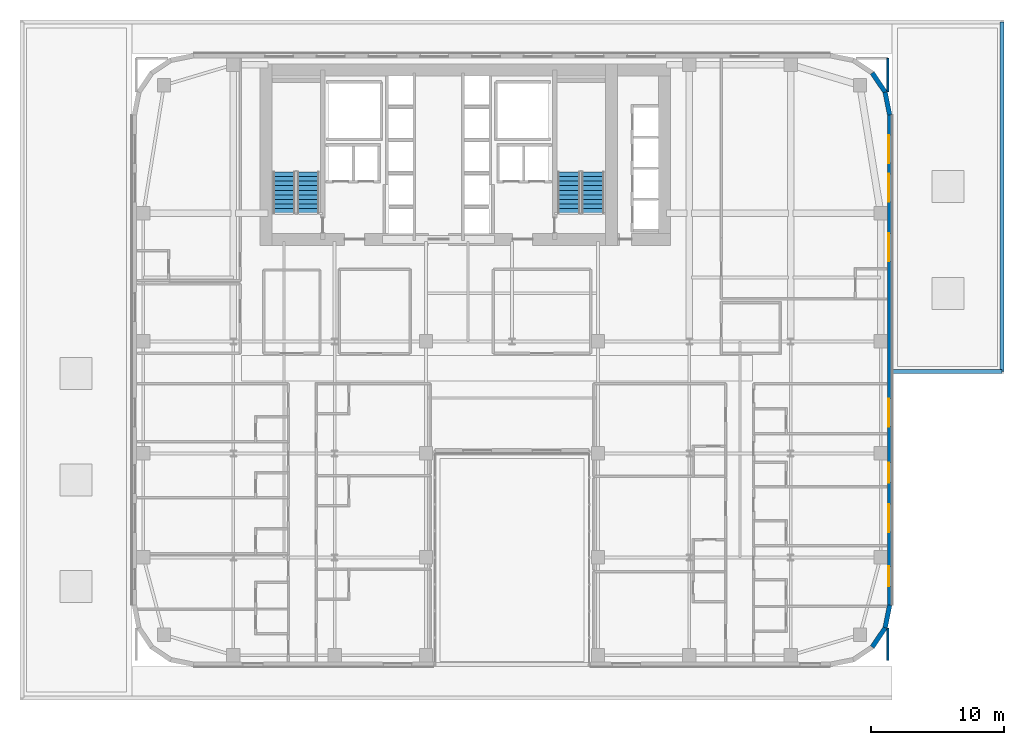
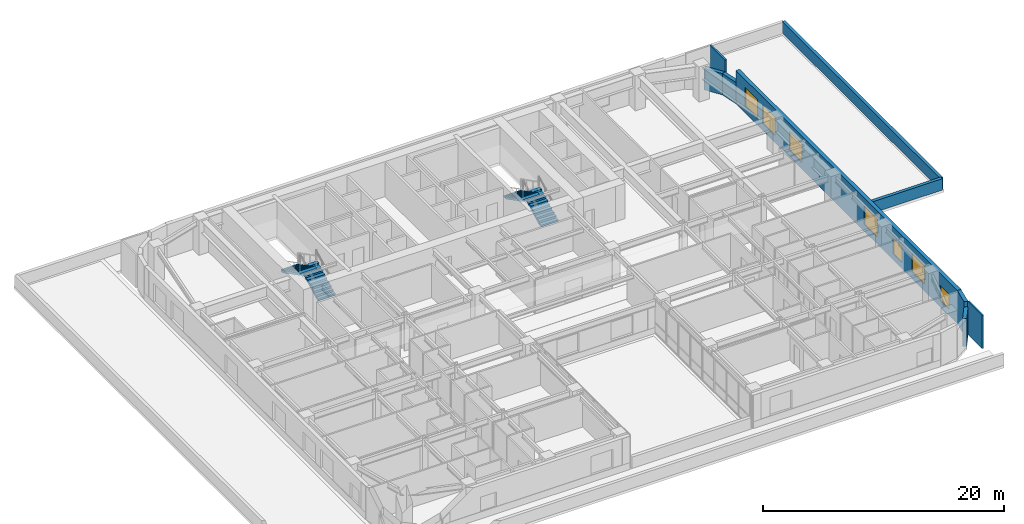
# One storey, part 19 of 25: 9 walls, 7 windows, 4 stair flights, 7 openings, 2 elements without a shape of their own.
"""IFC4 building model written with IfcOpenShell, lengths in metres."""

from ifc_helpers import new_model, si_unit, direction, frame, frame_2d, origin, place, context, subcontext, project, spatial, polyline, rectangle, outline, extrude, source, transform, mapped, material, layer, layer_set, type_object, type_shapes, element, fill, aggregate, save


model = new_model("IFC4")

# Units and contexts
model_context = context("Model", 3, precision=1e-05, world=origin(), true_north=direction((0.0, 1.0)))
body_context = subcontext(model_context, "Body", "Model", "MODEL_VIEW")
ifc_project = project(units=[si_unit("LENGTHUNIT", "METRE"), si_unit("AREAUNIT", "SQUARE_METRE"), si_unit("VOLUMEUNIT", "CUBIC_METRE"), si_unit("PLANEANGLEUNIT", "RADIAN"), si_unit("MASSUNIT", "GRAM", prefix="KILO")], contexts=[model_context])

# Site, building, storey
site_placement = place(None, origin())
site = spatial("IfcSite", under=ifc_project, at=site_placement, CompositionType="ELEMENT")
building_placement = place(site_placement, origin())
building = spatial("IfcBuilding", under=site, at=building_placement, Name="Tolvann Quenvar Hotel", CompositionType="ELEMENT")
storey_placement = place(building_placement, frame((0.0, 0.0, 32.0)))
storey = spatial("IfcBuildingStorey", under=building, at=storey_placement, Name="L06", CompositionType="ELEMENT", Elevation=32.0)

# Walls
ifc_material_1 = material(Name="Kiln-fired red and buff architectural clay brickwork and terracotta masonry", Category="masonry")
ifc_layer_1 = layer(ifc_material_1, 0.35009765625)
ifc_layer_set_1 = layer_set([ifc_layer_1], Name="Kiln-fired red and buff architectural clay brickwork and terracotta masonry")
wall_type_1 = type_object("IfcWallType", Name="WALL_EXT_BRICK_350", PredefinedType="SOLIDWALL", material=ifc_layer_set_1)
wall_1_placement = place(storey_placement, frame((55.526611328125, 1.473388671875, 0.0), z_axis=(0.0, 0.0, 1.0), x_axis=(0.55554893791, 0.831483840845, 0.0)))
element("IfcWall", 1, at=wall_1_placement, inside=storey, type_object=wall_type_1, Name="Exterior Chicago Brick Wall L06-E11", PredefinedType="SOLIDWALL", context=body_context, shape_type="SweptSolid", body=[
    extrude(rectangle(XDim=1.725341796875, YDim=0.35009765625, at=frame_2d((0.86279296875, 0.0))), origin(), (0.0, 0.0, 1.0), 2.83203125),
])
wall_2_placement = place(storey_placement, frame((56.485107421875, 2.907958984375, 0.0), z_axis=(0.0, 0.0, 1.0), x_axis=(0.195011420161, 0.980800971659, 0.0)))
element("IfcWall", 2, at=wall_2_placement, inside=storey, type_object=wall_type_1, Name="Exterior Chicago Brick Wall L06-E12", PredefinedType="SOLIDWALL", context=body_context, shape_type="SweptSolid", body=[
    extrude(rectangle(XDim=1.74267578125, YDim=0.35009765625, at=frame_2d((0.871337890625, 0.0))), origin(), (0.0, 0.0, 1.0), 3.3701171875),
])

# Wall, openings, windows
wall_3_placement = place(storey_placement, frame((56.824951171875, 4.6171875, 0.0), z_axis=(0.0, 0.0, 1.0), x_axis=(0.0, 1.0, 0.0)))
wall_3 = element("IfcWall", 3, at=wall_3_placement, inside=storey, type_object=wall_type_1, Name="Exterior Chicago Brick Wall L06-E13", PredefinedType="SOLIDWALL", context=body_context, shape_type="SweptSolid", body=[
    extrude(rectangle(XDim=36.765625, YDim=0.35009765625, at=frame_2d((18.3828125, 0.0))), origin(), (0.0, 0.0, 1.0), 3.3701171875),
])
opening_1_placement = place(wall_3_placement, frame((5.47802734375, 0.0, 0.679931640625)))
opening_1 = element("IfcOpeningElement", 4, at=opening_1_placement, cuts=wall_3, Name="Opening W-02", PredefinedType="OPENING", context=body_context, shape_type="SweptSolid", body=[
    extrude(rectangle(XDim=2.10009765625, YDim=1.89990234375, at=frame_2d((1.050048828125, 0.949951171875))), frame((0.0, 0.18505859375, 0.0), z_axis=(0.0, -1.0, 0.0), x_axis=(1.0, 0.0, 0.0)), (0.0, 0.0, 1.0), 0.3701171875),
])
opening_2_placement = place(wall_3_placement, frame((13.381103515625, 0.0, 0.679931640625)))
opening_2 = element("IfcOpeningElement", 5, at=opening_2_placement, cuts=wall_3, Name="Opening W-02", PredefinedType="OPENING", context=body_context, shape_type="SweptSolid", body=[
    extrude(rectangle(XDim=2.10009765625, YDim=1.89990234375, at=frame_2d((1.050048828125, 0.949951171875))), frame((0.0, 0.18505859375, 0.0), z_axis=(0.0, -1.0, 0.0), x_axis=(1.0, 0.0, 0.0)), (0.0, 0.0, 1.0), 0.3701171875),
])
opening_3_placement = place(wall_3_placement, frame((25.785888671875, 0.0, 0.679931640625)))
opening_3 = element("IfcOpeningElement", 6, at=opening_3_placement, cuts=wall_3, Name="Opening W-02", PredefinedType="OPENING", context=body_context, shape_type="SweptSolid", body=[
    extrude(rectangle(XDim=2.10009765625, YDim=1.89990234375, at=frame_2d((1.050048828125, 0.949951171875))), frame((0.0, 0.18505859375, 0.0), z_axis=(0.0, -1.0, 0.0), x_axis=(1.0, 0.0, 0.0)), (0.0, 0.0, 1.0), 0.3701171875),
])
opening_4_placement = place(wall_3_placement, frame((30.238037109375, 0.0, 0.679931640625)))
opening_4 = element("IfcOpeningElement", 7, at=opening_4_placement, cuts=wall_3, Name="Opening W-02", PredefinedType="OPENING", context=body_context, shape_type="SweptSolid", body=[
    extrude(rectangle(XDim=2.10009765625, YDim=1.89990234375, at=frame_2d((1.050048828125, 0.949951171875))), frame((0.0, 0.18505859375, 0.0), z_axis=(0.0, -1.0, 0.0), x_axis=(1.0, 0.0, 0.0)), (0.0, 0.0, 1.0), 0.3701171875),
])
opening_5_placement = place(wall_3_placement, frame((33.139892578125, 0.0, 0.679931640625)))
opening_5 = element("IfcOpeningElement", 8, at=opening_5_placement, cuts=wall_3, Name="Opening W-02", PredefinedType="OPENING", context=body_context, shape_type="SweptSolid", body=[
    extrude(rectangle(XDim=2.10009765625, YDim=1.89990234375, at=frame_2d((1.050048828125, 0.949951171875))), frame((0.0, 0.18505859375, 0.0), z_axis=(0.0, -1.0, 0.0), x_axis=(1.0, 0.0, 0.0)), (0.0, 0.0, 1.0), 0.3701171875),
])
opening_6_placement = place(wall_3_placement, frame((1.39990234375, 0.0, 0.6201171875)))
opening_6 = element("IfcOpeningElement", 9, at=opening_6_placement, cuts=wall_3, Name="Opening W-08", PredefinedType="OPENING", context=body_context, shape_type="SweptSolid", body=[
    extrude(rectangle(XDim=1.5, YDim=1.550048828125, at=frame_2d((0.75, 0.77490234375))), frame((0.0, 0.18505859375, 0.0), z_axis=(0.0, -1.0, 0.0), x_axis=(1.0, 0.0, 0.0)), (0.0, 0.0, 1.0), 0.3701171875),
])
opening_7_placement = place(wall_3_placement, frame((9.193115234375, 0.0, 0.6201171875)))
opening_7 = element("IfcOpeningElement", 10, at=opening_7_placement, cuts=wall_3, Name="Opening W-08", PredefinedType="OPENING", context=body_context, shape_type="SweptSolid", body=[
    extrude(rectangle(XDim=1.5, YDim=1.550048828125, at=frame_2d((0.75, 0.77490234375))), frame((0.0, 0.18505859375, 0.0), z_axis=(0.0, -1.0, 0.0), x_axis=(1.0, 0.0, 0.0)), (0.0, 0.0, 1.0), 0.3701171875),
])
ifc_material_2 = material(Name="Thermally broken bronze-anodised aluminium frame with double low-E glazing", Category="aluminium")
window_type_1 = type_object("IfcWindowType", Name="WIN_COR_1500x2050", PartitioningType="SINGLE_PANEL", PredefinedType="WINDOW", material=ifc_material_2)
shared_shape_1 = source(origin(), body_context, "Body", "SweptSolid", [
    extrude(rectangle(XDim=1.5, YDim=1.550048828125, at=frame_2d((0.75, 0.77490234375))), frame((0.0, 0.090087890625, 0.0), z_axis=(0.0, -1.0, 0.0), x_axis=(1.0, 0.0, 0.0)), (0.0, 0.0, 1.0), 0.06005859375),
])
type_shapes(window_type_1, [shared_shape_1])
window_1_placement = place(opening_6_placement, origin())
window_1 = element("IfcWindow", 11, at=window_1_placement, inside=storey, type_object=window_type_1, Name="Chicago Window W-08 (EW-L06-E13-WD06)", OverallHeight=1.550048828125, OverallWidth=1.5, PartitioningType="SINGLE_PANEL", PredefinedType="WINDOW", context=body_context, shape_type="MappedRepresentation", body=[
    mapped(shared_shape_1, transform((0.0, 0.0, 0.0), x_axis=(1.0, 0.0, 0.0), y_axis=(0.0, 1.0, 0.0), z_axis=(0.0, 0.0, 1.0), scale=1.0)),
])
fill(opening_6, window_1)
window_2_placement = place(opening_7_placement, origin())
window_2 = element("IfcWindow", 12, at=window_2_placement, inside=storey, type_object=window_type_1, Name="Chicago Window W-08 (EW-L06-E13-WD07)", OverallHeight=1.550048828125, OverallWidth=1.5, PartitioningType="SINGLE_PANEL", PredefinedType="WINDOW", context=body_context, shape_type="MappedRepresentation", body=[
    mapped(shared_shape_1, transform((0.0, 0.0, 0.0), x_axis=(1.0, 0.0, 0.0), y_axis=(0.0, 1.0, 0.0), z_axis=(0.0, 0.0, 1.0), scale=1.0)),
])
fill(opening_7, window_2)
window_type_2 = type_object("IfcWindowType", Name="WIN_CHI_2100x2050", PartitioningType="TRIPLE_PANEL_HORIZONTAL", PredefinedType="WINDOW", material=ifc_material_2)
shared_shape_2 = source(origin(), body_context, "Body", "SweptSolid", [
    extrude(rectangle(XDim=2.10009765625, YDim=1.89990234375, at=frame_2d((1.050048828125, 0.949951171875))), frame((0.0, 0.090087890625, 0.0), z_axis=(0.0, -1.0, 0.0), x_axis=(1.0, 0.0, 0.0)), (0.0, 0.0, 1.0), 0.06005859375),
])
type_shapes(window_type_2, [shared_shape_2])
window_3_placement = place(opening_1_placement, origin())
window_3 = element("IfcWindow", 13, at=window_3_placement, inside=storey, type_object=window_type_2, Name="Chicago Window W-02 (EW-L06-E13-W01)", OverallHeight=1.89990234375, OverallWidth=2.10009765625, PartitioningType="TRIPLE_PANEL_HORIZONTAL", PredefinedType="WINDOW", context=body_context, shape_type="MappedRepresentation", body=[
    mapped(shared_shape_2, transform((0.0, 0.0, 0.0), x_axis=(1.0, 0.0, 0.0), y_axis=(0.0, 1.0, 0.0), z_axis=(0.0, 0.0, 1.0), scale=1.0)),
])
fill(opening_1, window_3)
window_4_placement = place(opening_2_placement, origin())
window_4 = element("IfcWindow", 14, at=window_4_placement, inside=storey, type_object=window_type_2, Name="Chicago Window W-02 (EW-L06-E13-W02)", OverallHeight=1.89990234375, OverallWidth=2.10009765625, PartitioningType="TRIPLE_PANEL_HORIZONTAL", PredefinedType="WINDOW", context=body_context, shape_type="MappedRepresentation", body=[
    mapped(shared_shape_2, transform((0.0, 0.0, 0.0), x_axis=(1.0, 0.0, 0.0), y_axis=(0.0, 1.0, 0.0), z_axis=(0.0, 0.0, 1.0), scale=1.0)),
])
fill(opening_2, window_4)
window_5_placement = place(opening_3_placement, origin())
window_5 = element("IfcWindow", 15, at=window_5_placement, inside=storey, type_object=window_type_2, Name="Chicago Window W-02 (EW-L06-E13-W03)", OverallHeight=1.89990234375, OverallWidth=2.10009765625, PartitioningType="TRIPLE_PANEL_HORIZONTAL", PredefinedType="WINDOW", context=body_context, shape_type="MappedRepresentation", body=[
    mapped(shared_shape_2, transform((0.0, 0.0, 0.0), x_axis=(1.0, 0.0, 0.0), y_axis=(0.0, 1.0, 0.0), z_axis=(0.0, 0.0, 1.0), scale=1.0)),
])
fill(opening_3, window_5)
window_6_placement = place(opening_4_placement, origin())
window_6 = element("IfcWindow", 16, at=window_6_placement, inside=storey, type_object=window_type_2, Name="Chicago Window W-02 (EW-L06-E13-W04)", OverallHeight=1.89990234375, OverallWidth=2.10009765625, PartitioningType="TRIPLE_PANEL_HORIZONTAL", PredefinedType="WINDOW", context=body_context, shape_type="MappedRepresentation", body=[
    mapped(shared_shape_2, transform((0.0, 0.0, 0.0), x_axis=(1.0, 0.0, 0.0), y_axis=(0.0, 1.0, 0.0), z_axis=(0.0, 0.0, 1.0), scale=1.0)),
])
fill(opening_4, window_6)
window_7_placement = place(opening_5_placement, origin())
window_7 = element("IfcWindow", 17, at=window_7_placement, inside=storey, type_object=window_type_2, Name="Chicago Window W-02 (EW-L06-E13-W05)", OverallHeight=1.89990234375, OverallWidth=2.10009765625, PartitioningType="TRIPLE_PANEL_HORIZONTAL", PredefinedType="WINDOW", context=body_context, shape_type="MappedRepresentation", body=[
    mapped(shared_shape_2, transform((0.0, 0.0, 0.0), x_axis=(1.0, 0.0, 0.0), y_axis=(0.0, 1.0, 0.0), z_axis=(0.0, 0.0, 1.0), scale=1.0)),
])
fill(opening_5, window_7)

# Walls
wall_4_placement = place(storey_placement, frame((56.824951171875, 41.3828125, 0.0), z_axis=(0.0, 0.0, 1.0), x_axis=(-0.195011420161, 0.980800971659, 0.0)))
element("IfcWall", 18, at=wall_4_placement, inside=storey, type_object=wall_type_1, Name="Exterior Chicago Brick Wall L06-E14", PredefinedType="SOLIDWALL", context=body_context, shape_type="SweptSolid", body=[
    extrude(rectangle(XDim=1.74267578125, YDim=0.35009765625, at=frame_2d((0.871337890625, 0.0))), origin(), (0.0, 0.0, 1.0), 2.159912109375),
])
wall_5_placement = place(storey_placement, frame((56.485107421875, 43.092041015625, 0.0), z_axis=(0.0, 0.0, 1.0), x_axis=(-0.55554893791, 0.831483840845, 0.0)))
element("IfcWall", 19, at=wall_5_placement, inside=storey, type_object=wall_type_1, Name="Exterior Chicago Brick Wall L06-E15", PredefinedType="SOLIDWALL", context=body_context, shape_type="SweptSolid", body=[
    extrude(rectangle(XDim=1.725341796875, YDim=0.35009765625, at=frame_2d((0.86279296875, 0.0))), origin(), (0.0, 0.0, 1.0), 2.159912109375),
])
ifc_layer_2 = layer(ifc_material_1, 0.300048828125)
ifc_layer_set_2 = layer_set([ifc_layer_2], Name="Kiln-fired red and buff architectural clay brickwork and terracotta masonry")
wall_type_2 = type_object("IfcWallType", Name="WALL_PARAPET_300", PredefinedType="PARAPET", material=ifc_layer_set_2)
wall_6_placement = place(storey_placement, frame((65.25, 22.14990234375, 0.0), z_axis=(0.0, 0.0, 1.0), x_axis=(0.0, 1.0, 0.0)))
element("IfcWall", 20, at=wall_6_placement, inside=storey, type_object=wall_type_2, Name="Podium Roof Parapet POD-EN", PredefinedType="PARAPET", context=body_context, shape_type="SweptSolid", body=[
    extrude(rectangle(XDim=26.2001953125, YDim=0.300048828125, at=frame_2d((13.10009765625, 0.0))), origin(), (0.0, 0.0, 1.0), 1.14990234375),
])
wall_7_placement = place(storey_placement, frame((57.0, 22.14990234375, 0.0), z_axis=(0.0, 0.0, 1.0), x_axis=(1.0, 0.0, 0.0)))
element("IfcWall", 21, at=wall_7_placement, inside=storey, type_object=wall_type_2, Name="Podium Roof Parapet POD-ES", PredefinedType="PARAPET", context=body_context, shape_type="SweptSolid", body=[
    extrude(rectangle(XDim=8.25, YDim=0.300048828125, at=frame_2d((4.125, 0.0))), origin(), (0.0, 0.0, 1.0), 1.14990234375),
])
ifc_material_3 = material(Name="Acoustic twin-stud fire-rated gypsum plasterboard partition")
ifc_layer_3 = layer(ifc_material_3, 0.14990234375)
ifc_layer_set_3 = layer_set([ifc_layer_3], Name="Acoustic twin-stud fire-rated gypsum plasterboard partition")
wall_type_3 = type_object("IfcWallType", Name="WALL_PART_SUITE_150", PredefinedType="PARTITIONING", material=ifc_layer_set_3)
wall_8_placement = place(storey_placement, frame((56.699951171875, 0.47998046875, 0.0), z_axis=(0.0, 0.0, 1.0), x_axis=(0.0, 1.0, 0.0)))
element("IfcWall", 22, at=wall_8_placement, inside=storey, type_object=wall_type_3, Name="Interior Partition PT-SPC-L06-RM-EO01-E2", PredefinedType="PARTITIONING", context=body_context, shape_type="SweptSolid", body=[
    extrude(rectangle(XDim=2.385009765625, YDim=0.14990234375, at=frame_2d((1.1923828125, 0.0))), origin(), (0.0, 0.0, 1.0), 3.3701171875),
])
wall_9_placement = place(storey_placement, frame((56.699951171875, 43.135009765625, 0.0), z_axis=(0.0, 0.0, 1.0), x_axis=(0.0, 1.0, 0.0)))
element("IfcWall", 23, at=wall_9_placement, inside=storey, type_object=wall_type_3, Name="Interior Partition PT-SPC-L06-RM-NE01-E4", PredefinedType="PARTITIONING", context=body_context, shape_type="SweptSolid", body=[
    extrude(rectangle(XDim=2.485107421875, YDim=0.14990234375, at=frame_2d((1.24267578125, 0.0))), origin(), (0.0, 0.0, 1.0), 3.3701171875),
])

# Stair, stair flights
ifc_material_4 = material(Name="Concrete N40 (40 MPa)", Category="concrete")
stair_type = type_object("IfcStairType", Name="STAIR", PredefinedType="HALF_TURN_STAIR", material=ifc_material_4)
stair_1_placement = place(storey_placement, origin())
stair_1 = element("IfcStair", 24, at=stair_1_placement, inside=storey, type_object=stair_type, Name="L06 ST-C1", PredefinedType="HALF_TURN_STAIR")
stair_flight_type = type_object("IfcStairFlightType", Name="STAIR_FLIGHT", PredefinedType="STRAIGHT", material=ifc_material_4)
stair_flight_1_placement = place(storey_placement, frame((13.22509765625, 34.0, 0.0), z_axis=(0.0, 0.0, 1.0), x_axis=(0.0, 1.0, 0.0)))
stair_flight_1 = element("IfcStairFlight", 25, at=stair_flight_1_placement, type_object=stair_flight_type, Name="ST-C1 flight 1", NumberOfRisers=10, NumberOfTreads=9, PredefinedType="STRAIGHT", RiserHeight=0.1775, TreadLength=0.345, context=body_context, shape_type="SweptSolid", body=[
    extrude(outline(polyline([(0.0, 0.0), (0.0, 0.177490234375), (0.344970703125, 0.177490234375), (0.344970703125, 0.35498046875), (0.68994140625, 0.35498046875), (0.68994140625, 0.532470703125), (1.034912109375, 0.532470703125), (1.034912109375, 0.7099609375), (1.3798828125, 0.7099609375), (1.3798828125, 0.887451171875), (1.72509765625, 0.887451171875), (1.72509765625, 1.06494140625), (2.070068359375, 1.06494140625), (2.070068359375, 1.242431640625), (2.4150390625, 1.242431640625), (2.4150390625, 1.419921875), (2.760009765625, 1.419921875), (2.760009765625, 1.597412109375), (3.10498046875, 1.597412109375), (3.10498046875, 1.77490234375), (3.10498046875, 1.428955078125), (0.32763671875, 0.0), (0.0, 0.0)])), frame((0.0, 0.824951171875, 0.0), z_axis=(0.0, -1.0, 0.0), x_axis=(1.0, 0.0, 0.0)), (0.0, 0.0, 1.0), 1.64990234375),
])
stair_flight_2_placement = place(storey_placement, frame((11.425048828125, 37.10498046875, 1.77490234375), z_axis=(0.0, 0.0, 1.0), x_axis=(0.0, -1.0, 0.0)))
stair_flight_2 = element("IfcStairFlight", 26, at=stair_flight_2_placement, type_object=stair_flight_type, Name="ST-C1 flight 2", NumberOfRisers=10, NumberOfTreads=9, PredefinedType="STRAIGHT", RiserHeight=0.1775, TreadLength=0.345, context=body_context, shape_type="SweptSolid", body=[
    extrude(outline(polyline([(0.0, 0.0), (0.0, 0.177490234375), (0.344970703125, 0.177490234375), (0.344970703125, 0.35498046875), (0.68994140625, 0.35498046875), (0.68994140625, 0.532470703125), (1.034912109375, 0.532470703125), (1.034912109375, 0.7099609375), (1.3798828125, 0.7099609375), (1.3798828125, 0.887451171875), (1.72509765625, 0.887451171875), (1.72509765625, 1.06494140625), (2.070068359375, 1.06494140625), (2.070068359375, 1.242431640625), (2.4150390625, 1.242431640625), (2.4150390625, 1.419921875), (2.760009765625, 1.419921875), (2.760009765625, 1.597412109375), (3.10498046875, 1.597412109375), (3.10498046875, 1.77490234375), (3.10498046875, 1.428955078125), (0.32763671875, 0.0), (0.0, 0.0)])), frame((0.0, 0.824951171875, 0.0), z_axis=(0.0, -1.0, 0.0), x_axis=(1.0, 0.0, 0.0)), (0.0, 0.0, 1.0), 1.64990234375),
])
aggregate(stair_1, [stair_flight_1, stair_flight_2])

stair_2_placement = place(storey_placement, origin())
stair_2 = element("IfcStair", 27, at=stair_2_placement, inside=storey, type_object=stair_type, Name="L06 ST-C2", PredefinedType="HALF_TURN_STAIR")
stair_flight_3_placement = place(storey_placement, frame((34.574951171875, 34.0, 0.0), z_axis=(0.0, 0.0, 1.0), x_axis=(0.0, 1.0, 0.0)))
stair_flight_3 = element("IfcStairFlight", 28, at=stair_flight_3_placement, type_object=stair_flight_type, Name="ST-C2 flight 1", NumberOfRisers=10, NumberOfTreads=9, PredefinedType="STRAIGHT", RiserHeight=0.1775, TreadLength=0.345, context=body_context, shape_type="SweptSolid", body=[
    extrude(outline(polyline([(0.0, 0.0), (0.0, 0.177490234375), (0.344970703125, 0.177490234375), (0.344970703125, 0.35498046875), (0.68994140625, 0.35498046875), (0.68994140625, 0.532470703125), (1.034912109375, 0.532470703125), (1.034912109375, 0.7099609375), (1.3798828125, 0.7099609375), (1.3798828125, 0.887451171875), (1.72509765625, 0.887451171875), (1.72509765625, 1.06494140625), (2.070068359375, 1.06494140625), (2.070068359375, 1.242431640625), (2.4150390625, 1.242431640625), (2.4150390625, 1.419921875), (2.760009765625, 1.419921875), (2.760009765625, 1.597412109375), (3.10498046875, 1.597412109375), (3.10498046875, 1.77490234375), (3.10498046875, 1.428955078125), (0.32763671875, 0.0), (0.0, 0.0)])), frame((0.0, 0.824951171875, 0.0), z_axis=(0.0, -1.0, 0.0), x_axis=(1.0, 0.0, 0.0)), (0.0, 0.0, 1.0), 1.64990234375),
])
stair_flight_4_placement = place(storey_placement, frame((32.77490234375, 37.10498046875, 1.77490234375), z_axis=(0.0, 0.0, 1.0), x_axis=(0.0, -1.0, 0.0)))
stair_flight_4 = element("IfcStairFlight", 29, at=stair_flight_4_placement, type_object=stair_flight_type, Name="ST-C2 flight 2", NumberOfRisers=10, NumberOfTreads=9, PredefinedType="STRAIGHT", RiserHeight=0.1775, TreadLength=0.345, context=body_context, shape_type="SweptSolid", body=[
    extrude(outline(polyline([(0.0, 0.0), (0.0, 0.177490234375), (0.344970703125, 0.177490234375), (0.344970703125, 0.35498046875), (0.68994140625, 0.35498046875), (0.68994140625, 0.532470703125), (1.034912109375, 0.532470703125), (1.034912109375, 0.7099609375), (1.3798828125, 0.7099609375), (1.3798828125, 0.887451171875), (1.72509765625, 0.887451171875), (1.72509765625, 1.06494140625), (2.070068359375, 1.06494140625), (2.070068359375, 1.242431640625), (2.4150390625, 1.242431640625), (2.4150390625, 1.419921875), (2.760009765625, 1.419921875), (2.760009765625, 1.597412109375), (3.10498046875, 1.597412109375), (3.10498046875, 1.77490234375), (3.10498046875, 1.428955078125), (0.32763671875, 0.0), (0.0, 0.0)])), frame((0.0, 0.824951171875, 0.0), z_axis=(0.0, -1.0, 0.0), x_axis=(1.0, 0.0, 0.0)), (0.0, 0.0, 1.0), 1.64990234375),
])
aggregate(stair_2, [stair_flight_3, stair_flight_4])

save(model, "model.ifc")
